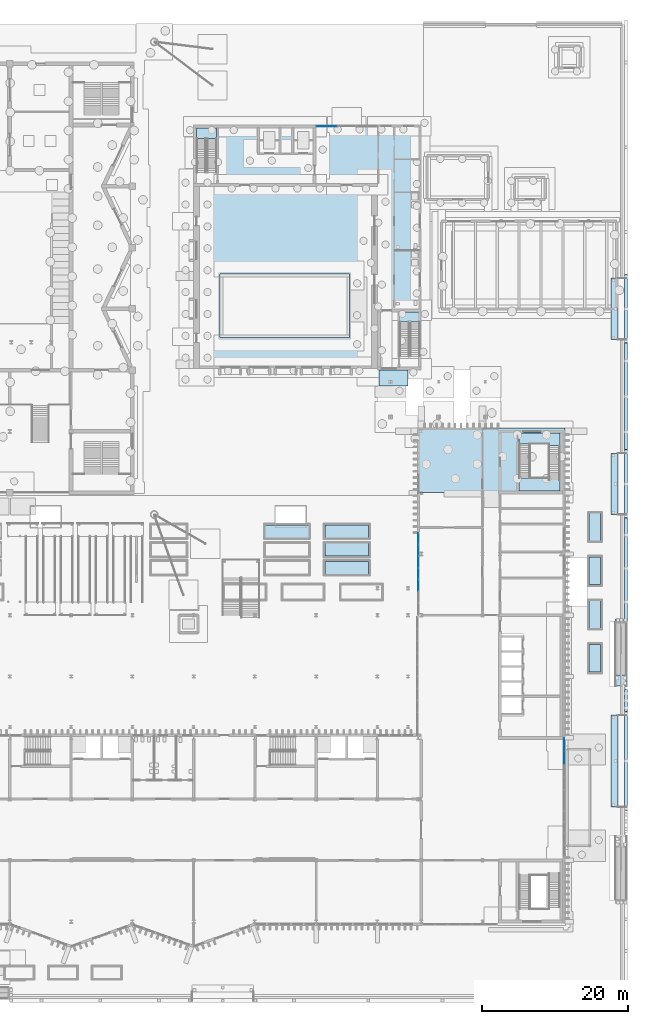
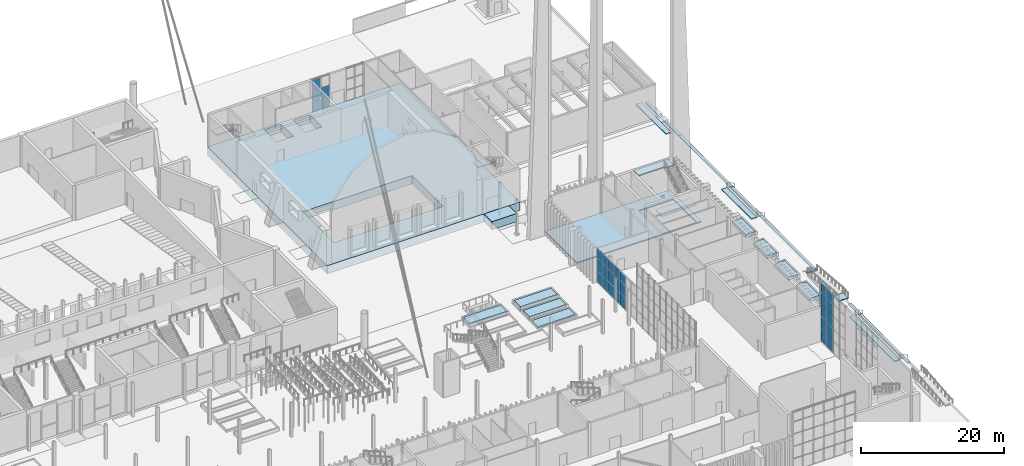
# One storey, part 51 of 108: 30 plates, 26 slabs, 7 elements without a shape of their own.
"""IFC4 building model written with IfcOpenShell, lengths in metres."""

import ifcopenshell
import ifcopenshell.guid

model = None  # the IFC model being written
_history = None  # IfcOwnerHistory: only IFC2X3 demands one
_inside = {}  # id of a spatial element -> (the spatial element, [elements in it])
_under = {}  # id of a project, library or spatial element -> (it, [spatial elements below it])
_declared = {}  # id of a project -> (the project, [libraries it declares])
_typed = {}  # id of a type object -> (the type object, [elements of that type])
_made_of = {}  # id of a material, layer set ... -> (it, [elements and type objects made of it])


def new_model(schema):
    """Start an empty IFC model of exactly this schema.

    Asked for "IFC4X3", IfcOpenShell would pick the latest addendum, in which some entities
    have other attributes; the version numbers below select the first issue.
    IFC2X3 requires an IfcOwnerHistory on every rooted entity: one is made here for all.
    """
    global model, _history
    if schema == "IFC4X3":
        model = ifcopenshell.file(schema_version=(4, 3, 0, 0))
    else:
        model = ifcopenshell.file(schema=schema)
    _inside.clear()
    _under.clear()
    _declared.clear()
    _typed.clear()
    _made_of.clear()
    _history = None
    if model.schema == "IFC2X3":
        org = make("IfcOrganization", Name="unknown")
        user = make(
            "IfcPersonAndOrganization",
            ThePerson=make("IfcPerson", FamilyName="unknown"),
            TheOrganization=org,
        )
        app = make(
            "IfcApplication",
            ApplicationDeveloper=org,
            Version="unknown",
            ApplicationFullName="unknown",
            ApplicationIdentifier="unknown",
        )
        _history = make(
            "IfcOwnerHistory",
            OwningUser=user,
            OwningApplication=app,
            ChangeAction="ADDED",
            CreationDate=0,
        )
    return model


def make(cls, **values):
    """One entity of the class cls with the attributes given. An attribute that is None is left unset."""
    return model.create_entity(
        cls, **{name: value for name, value in values.items() if value is not None}
    )


def rooted(cls, **values):
    """An entity with a GlobalId (a new one), such as an element, a storey or a relation."""
    return make(cls, GlobalId=ifcopenshell.guid.new(), OwnerHistory=_history, **values)


def si_unit(unit_type, name, prefix=None):
    """IfcSIUnit, for example si_unit("LENGTHUNIT", "METRE", prefix="MILLI")."""
    return make("IfcSIUnit", UnitType=unit_type, Prefix=prefix, Name=name)


def assignment(units):
    """IfcUnitAssignment: the units of a project."""
    return None if units is None else make("IfcUnitAssignment", Units=units)


def point(xyz):
    """IfcCartesianPoint."""
    return None if xyz is None else make("IfcCartesianPoint", Coordinates=xyz)


def direction(xyz):
    """IfcDirection."""
    return None if xyz is None else make("IfcDirection", DirectionRatios=xyz)


def frame(location, z_axis=None, x_axis=None):
    """IfcAxis2Placement3D, a coordinate frame: its origin and axes. An axis left out is left unset."""
    return make(
        "IfcAxis2Placement3D",
        Location=point(location),
        Axis=direction(z_axis),
        RefDirection=direction(x_axis),
    )


def frame_2d(location, x_axis=None):
    """IfcAxis2Placement2D, a coordinate frame in the plane: its origin and x axis."""
    return make(
        "IfcAxis2Placement2D", Location=point(location), RefDirection=direction(x_axis)
    )


def origin():
    """The frame at (0, 0, 0) with its axes left unset."""
    return frame((0.0, 0.0, 0.0))


def origin_2d():
    """The frame at (0, 0) in the plane with its x axis left unset."""
    return frame_2d((0.0, 0.0))


def place(relative_to, where):
    """IfcLocalPlacement: puts the frame where relative to a parent placement (None: the world)."""
    return make(
        "IfcLocalPlacement", PlacementRelTo=relative_to, RelativePlacement=where
    )


def context(
    kind, dimensions, precision=None, world=None, true_north=None, identifier=None
):
    """IfcGeometricRepresentationContext, for example the 3D "Model" context."""
    return make(
        "IfcGeometricRepresentationContext",
        ContextIdentifier=identifier,
        ContextType=kind,
        CoordinateSpaceDimension=dimensions,
        Precision=precision,
        WorldCoordinateSystem=world,
        TrueNorth=true_north,
    )


def subcontext(parent, identifier, kind, view, scale=None):
    """IfcGeometricRepresentationSubContext, for example "Body" below "Model"."""
    return make(
        "IfcGeometricRepresentationSubContext",
        ContextIdentifier=identifier,
        ContextType=kind,
        ParentContext=parent,
        TargetScale=scale,
        TargetView=view,
    )


def project(units=None, contexts=None):
    """IfcProject with its units and contexts."""
    return rooted(
        "IfcProject",
        Name="project",
        RepresentationContexts=contexts,
        UnitsInContext=assignment(units),
    )


def spatial(cls, under=None, at=None, **own):
    """A site, building, storey or space (cls), placed at a placement, below another one or the project."""
    s = rooted(cls, ObjectPlacement=at, **own)
    if under is not None:
        _under.setdefault(under.id(), (under, []))[1].append(s)
    return s


def polyline(points):
    """IfcPolyline through the points."""
    return make("IfcPolyline", Points=[point(p) for p in points])


def profile(cls, at=None, kind="AREA", **sizes):
    """A parametric profile (cls). Its sizes go by their IFC names, for example OverallWidth=200.0."""
    return make(cls, ProfileType=kind, Position=at, **sizes)


def rectangle(**sizes):
    """IfcRectangleProfileDef."""
    return profile("IfcRectangleProfileDef", **sizes)


def outline(outer, holes=None, kind="AREA"):
    """IfcArbitraryClosedProfileDef: a profile drawn as a closed curve; with holes, ...WithVoids."""
    if holes is None:
        return make("IfcArbitraryClosedProfileDef", ProfileType=kind, OuterCurve=outer)
    return make(
        "IfcArbitraryProfileDefWithVoids",
        ProfileType=kind,
        OuterCurve=outer,
        InnerCurves=holes,
    )


def extrude(swept, where, along, depth):
    """IfcExtrudedAreaSolid: the profile swept, set in the frame where, extruded along a direction by depth."""
    return make(
        "IfcExtrudedAreaSolid",
        SweptArea=swept,
        Position=where,
        ExtrudedDirection=direction(along),
        Depth=depth,
    )


def shape(context_of_items, identifier, shape_type, items):
    """IfcShapeRepresentation: the items that make up one representation, for example the "Body"."""
    return make(
        "IfcShapeRepresentation",
        ContextOfItems=context_of_items,
        RepresentationIdentifier=identifier,
        RepresentationType=shape_type,
        Items=items,
    )


def material(Name=None, Category=None):
    """IfcMaterial."""
    return make("IfcMaterial", Name=Name, Category=Category)


def layer(
    of_material, thickness, ventilated=None, Name=None, Category=None, Priority=None
):
    """IfcMaterialLayer: one layer of a wall or slab, of a material (None: an air gap)."""
    return make(
        "IfcMaterialLayer",
        Material=of_material,
        LayerThickness=thickness,
        IsVentilated=ventilated,
        Name=Name,
        Category=Category,
        Priority=Priority,
    )


def layer_set(layers, Name=None):
    """IfcMaterialLayerSet."""
    return make("IfcMaterialLayerSet", MaterialLayers=layers, LayerSetName=Name)


def made_of(thing, what):
    """Note that an element or type object is made of a material, layer set ...; save() writes the relation."""
    if what is not None:
        _made_of.setdefault(what.id(), (what, []))[1].append(thing)
    return thing


def type_object(cls, material=None, **own):
    """A type object (cls), such as IfcWallType, which elements share."""
    return made_of(rooted(cls, **own), material)


def element(
    cls,
    number,
    at=None,
    inside=None,
    cuts=None,
    type_object=None,
    material=None,
    context=None,
    identifier="Body",
    shape_type=None,
    held_by="IfcProductDefinitionShape",
    body=None,
    shapes=None,
    **own,
):
    """One element of the class cls, such as IfcWall. Its Tag is "e" and its number.

    at: its placement. inside: the storey or other place that contains it. cuts: it is an
    opening in that element (IfcRelVoidsElement). A single representation is given by context,
    identifier, shape_type and body (its items); several are given by shapes. held_by: the class
    of the entity that holds the representations. save() writes the other relations.
    """
    e = rooted(cls, Tag="e%d" % number, ObjectPlacement=at, **own)
    if body is not None:
        shapes = [shape(context, identifier, shape_type, body)]
    if shapes is not None:
        e.Representation = make(held_by, Representations=shapes)
    if inside is not None:
        _inside.setdefault(inside.id(), (inside, []))[1].append(e)
    if cuts is not None:
        rooted(
            "IfcRelVoidsElement", RelatingBuildingElement=cuts, RelatedOpeningElement=e
        )
    if type_object is not None:
        _typed.setdefault(type_object.id(), (type_object, []))[1].append(e)
    return made_of(e, material)


def aggregate(whole, parts):
    """IfcRelAggregates: a whole, such as a stair, and the parts it consists of."""
    return rooted("IfcRelAggregates", RelatingObject=whole, RelatedObjects=parts)


def save(model, path):
    """Write the relations noted so far, then the file.

    IfcRelAggregates (storeys below a building ...), IfcRelContainedInSpatialStructure (elements
    in a storey), IfcRelDefinesByType, IfcRelAssociatesMaterial and IfcRelDeclares: one each for
    every whole, place, type object, material and project.
    """
    for whole, parts in _under.values():
        aggregate(whole, parts)
    for where, things in _inside.values():
        rooted(
            "IfcRelContainedInSpatialStructure",
            RelatedElements=things,
            RelatingStructure=where,
        )
    for kind, things in _typed.values():
        rooted("IfcRelDefinesByType", RelatedObjects=things, RelatingType=kind)
    for what, things in _made_of.values():
        rooted("IfcRelAssociatesMaterial", RelatedObjects=things, RelatingMaterial=what)
    for by, libraries in _declared.values():
        rooted("IfcRelDeclares", RelatingContext=by, RelatedDefinitions=libraries)
    model.write(path)


model = new_model("IFC4")

# Units and contexts
model_context = context("Model", 3, precision=1e-05, world=origin(), true_north=direction((0.0, 1.0)))
body_context = subcontext(model_context, "Body", "Model", "MODEL_VIEW")
ifc_project = project(units=[si_unit("LENGTHUNIT", "METRE"), si_unit("AREAUNIT", "SQUARE_METRE"), si_unit("VOLUMEUNIT", "CUBIC_METRE"), si_unit("PLANEANGLEUNIT", "RADIAN"), si_unit("MASSUNIT", "GRAM", prefix="KILO")], contexts=[model_context])

# Site, building, storey
site_placement = place(None, origin())
site = spatial("IfcSite", under=ifc_project, at=site_placement, CompositionType="ELEMENT")
building_placement = place(site_placement, origin())
building = spatial("IfcBuilding", under=site, at=building_placement, Name="Cresset Court Congress Hotel", CompositionType="ELEMENT")
storey_placement = place(building_placement, origin())
storey = spatial("IfcBuildingStorey", under=building, at=storey_placement, Name="L00", CompositionType="ELEMENT", Elevation=0.0)

# Curtain wall, plates
ifc_material_1 = material(Name="Aluminium and glass", Category="aluminium")
curtain_wall_type_1 = type_object("IfcCurtainWallType", Name="Curtain wall 1680 module", PredefinedType="NOTDEFINED", material=ifc_material_1)
curtain_wall_1_placement = place(storey_placement, origin())
curtain_wall_1 = element("IfcCurtainWall", 1, at=curtain_wall_1_placement, inside=storey, type_object=curtain_wall_type_1, Name="Entrance glazing north", PredefinedType="NOTDEFINED")
ifc_material_2 = material(Name="Laminated glass", Category="glass")
ifc_layer_1 = layer(ifc_material_2, 0.028076171875)
ifc_layer_set_1 = layer_set([ifc_layer_1], Name="Curtain wall glass panel 28")
plate_type_1 = type_object("IfcPlateType", Name="Curtain wall glass panel 28", PredefinedType="CURTAIN_PANEL", material=ifc_layer_set_1)
plate_1_placement = place(storey_placement, frame((176.800048828125, 22.5, 0.06005859375), z_axis=(0.0, 0.0, 1.0), x_axis=(0.0, 1.0, 0.0)))
plate_1 = element("IfcPlate", 2, at=plate_1_placement, type_object=plate_type_1, Name="A-X1 panel 3.1", PredefinedType="CURTAIN_PANEL", context=body_context, shape_type="SweptSolid", body=[
    extrude(rectangle(XDim=1.739990234375, YDim=0.028076171875, at=origin_2d()), origin(), (0.0, 0.0, 1.0), 2.010009765625),
])
plate_2_placement = place(storey_placement, frame((176.800048828125, 22.5, 2.1298828125), z_axis=(0.0, 0.0, 1.0), x_axis=(0.0, 1.0, 0.0)))
plate_2 = element("IfcPlate", 3, at=plate_2_placement, type_object=plate_type_1, Name="A-X1 panel 3.2", PredefinedType="CURTAIN_PANEL", context=body_context, shape_type="SweptSolid", body=[
    extrude(rectangle(XDim=1.739990234375, YDim=0.028076171875, at=origin_2d()), origin(), (0.0, 0.0, 1.0), 2.0400390625),
])
plate_3_placement = place(storey_placement, frame((176.800048828125, 22.5, 4.22998046875), z_axis=(0.0, 0.0, 1.0), x_axis=(0.0, 1.0, 0.0)))
plate_3 = element("IfcPlate", 4, at=plate_3_placement, type_object=plate_type_1, Name="A-X1 panel 3.3", PredefinedType="CURTAIN_PANEL", context=body_context, shape_type="SweptSolid", body=[
    extrude(rectangle(XDim=1.739990234375, YDim=0.028076171875, at=origin_2d()), origin(), (0.0, 0.0, 1.0), 2.0400390625),
])
plate_4_placement = place(storey_placement, frame((176.800048828125, 22.5, 6.330078125), z_axis=(0.0, 0.0, 1.0), x_axis=(0.0, 1.0, 0.0)))
plate_4 = element("IfcPlate", 5, at=plate_4_placement, type_object=plate_type_1, Name="A-X1 panel 3.4", PredefinedType="CURTAIN_PANEL", context=body_context, shape_type="SweptSolid", body=[
    extrude(rectangle(XDim=1.739990234375, YDim=0.028076171875, at=origin_2d()), origin(), (0.0, 0.0, 1.0), 2.0400390625),
])
plate_5_placement = place(storey_placement, frame((176.800048828125, 22.5, 8.429931640625), z_axis=(0.0, 0.0, 1.0), x_axis=(0.0, 1.0, 0.0)))
plate_5 = element("IfcPlate", 6, at=plate_5_placement, type_object=plate_type_1, Name="A-X1 panel 3.5", PredefinedType="CURTAIN_PANEL", context=body_context, shape_type="SweptSolid", body=[
    extrude(rectangle(XDim=1.739990234375, YDim=0.028076171875, at=origin_2d()), origin(), (0.0, 0.0, 1.0), 1.56005859375),
])
plate_6_placement = place(storey_placement, frame((176.800048828125, 24.284912109375, 0.06005859375), z_axis=(0.0, 0.0, 1.0), x_axis=(0.0, 1.0, 0.0)))
plate_6 = element("IfcPlate", 7, at=plate_6_placement, type_object=plate_type_1, Name="A-X1 panel 4.1", PredefinedType="CURTAIN_PANEL", context=body_context, shape_type="SweptSolid", body=[
    extrude(rectangle(XDim=1.7099609375, YDim=0.028076171875, at=origin_2d()), origin(), (0.0, 0.0, 1.0), 2.010009765625),
])
plate_7_placement = place(storey_placement, frame((176.800048828125, 24.284912109375, 2.1298828125), z_axis=(0.0, 0.0, 1.0), x_axis=(0.0, 1.0, 0.0)))
plate_7 = element("IfcPlate", 8, at=plate_7_placement, type_object=plate_type_1, Name="A-X1 panel 4.2", PredefinedType="CURTAIN_PANEL", context=body_context, shape_type="SweptSolid", body=[
    extrude(rectangle(XDim=1.7099609375, YDim=0.028076171875, at=origin_2d()), origin(), (0.0, 0.0, 1.0), 2.0400390625),
])
plate_8_placement = place(storey_placement, frame((176.800048828125, 24.284912109375, 4.22998046875), z_axis=(0.0, 0.0, 1.0), x_axis=(0.0, 1.0, 0.0)))
plate_8 = element("IfcPlate", 9, at=plate_8_placement, type_object=plate_type_1, Name="A-X1 panel 4.3", PredefinedType="CURTAIN_PANEL", context=body_context, shape_type="SweptSolid", body=[
    extrude(rectangle(XDim=1.7099609375, YDim=0.028076171875, at=origin_2d()), origin(), (0.0, 0.0, 1.0), 2.0400390625),
])
plate_9_placement = place(storey_placement, frame((176.800048828125, 24.284912109375, 6.330078125), z_axis=(0.0, 0.0, 1.0), x_axis=(0.0, 1.0, 0.0)))
plate_9 = element("IfcPlate", 10, at=plate_9_placement, type_object=plate_type_1, Name="A-X1 panel 4.4", PredefinedType="CURTAIN_PANEL", context=body_context, shape_type="SweptSolid", body=[
    extrude(rectangle(XDim=1.7099609375, YDim=0.028076171875, at=origin_2d()), origin(), (0.0, 0.0, 1.0), 2.0400390625),
])
plate_10_placement = place(storey_placement, frame((176.800048828125, 24.284912109375, 8.429931640625), z_axis=(0.0, 0.0, 1.0), x_axis=(0.0, 1.0, 0.0)))
plate_10 = element("IfcPlate", 11, at=plate_10_placement, type_object=plate_type_1, Name="A-X1 panel 4.5", PredefinedType="CURTAIN_PANEL", context=body_context, shape_type="SweptSolid", body=[
    extrude(rectangle(XDim=1.7099609375, YDim=0.028076171875, at=origin_2d()), origin(), (0.0, 0.0, 1.0), 1.56005859375),
])
aggregate(curtain_wall_1, [plate_1, plate_2, plate_3, plate_4, plate_5, plate_6, plate_7, plate_8, plate_9, plate_10])

ifc_material_3 = material(Name="Aluminium frame with insulated glass", Category="aluminium")
curtain_wall_type_2 = type_object("IfcCurtainWallType", Name="Curtain wall module 1600", PredefinedType="NOTDEFINED", material=ifc_material_3)
curtain_wall_2_placement = place(storey_placement, origin())
curtain_wall_2 = element("IfcCurtainWall", 12, at=curtain_wall_2_placement, inside=storey, type_object=curtain_wall_type_2, Name="Curtain wall N1", PredefinedType="NOTDEFINED")
plate_11_placement = place(storey_placement, frame((143.5400390625, 109.050048828125, 0.1201171875), z_axis=(0.0, 0.0, 1.0), x_axis=(1.0, 0.0, 0.0)))
plate_11 = element("IfcPlate", 13, at=plate_11_placement, type_object=plate_type_1, Name="D-X3 panel 1.1", PredefinedType="CURTAIN_PANEL", context=body_context, shape_type="SweptSolid", body=[
    extrude(rectangle(XDim=1.360107421875, YDim=0.028076171875, at=origin_2d()), origin(), (0.0, 0.0, 1.0), 1.764892578125),
])
plate_12_placement = place(storey_placement, frame((143.5400390625, 109.050048828125, 2.0048828125), z_axis=(0.0, 0.0, 1.0), x_axis=(1.0, 0.0, 0.0)))
plate_12 = element("IfcPlate", 14, at=plate_12_placement, type_object=plate_type_1, Name="D-X3 panel 1.2", PredefinedType="CURTAIN_PANEL", context=body_context, shape_type="SweptSolid", body=[
    extrude(rectangle(XDim=1.360107421875, YDim=0.028076171875, at=origin_2d()), origin(), (0.0, 0.0, 1.0), 1.76708984375),
])
plate_13_placement = place(storey_placement, frame((143.5400390625, 109.050048828125, 3.89208984375), z_axis=(0.0, 0.0, 1.0), x_axis=(1.0, 0.0, 0.0)))
plate_13 = element("IfcPlate", 15, at=plate_13_placement, type_object=plate_type_1, Name="D-X3 panel 1.3", PredefinedType="CURTAIN_PANEL", context=body_context, shape_type="SweptSolid", body=[
    extrude(rectangle(XDim=1.360107421875, YDim=0.028076171875, at=origin_2d()), origin(), (0.0, 0.0, 1.0), 1.7080078125),
])
plate_14_placement = place(storey_placement, frame((144.9599609375, 109.050048828125, 0.1201171875), z_axis=(0.0, 0.0, 1.0), x_axis=(1.0, 0.0, 0.0)))
plate_14 = element("IfcPlate", 16, at=plate_14_placement, type_object=plate_type_1, Name="D-X3 panel 2.1", PredefinedType="CURTAIN_PANEL", context=body_context, shape_type="SweptSolid", body=[
    extrude(rectangle(XDim=1.360107421875, YDim=0.028076171875, at=origin_2d()), origin(), (0.0, 0.0, 1.0), 1.764892578125),
])
plate_15_placement = place(storey_placement, frame((144.9599609375, 109.050048828125, 2.0048828125), z_axis=(0.0, 0.0, 1.0), x_axis=(1.0, 0.0, 0.0)))
plate_15 = element("IfcPlate", 17, at=plate_15_placement, type_object=plate_type_1, Name="D-X3 panel 2.2", PredefinedType="CURTAIN_PANEL", context=body_context, shape_type="SweptSolid", body=[
    extrude(rectangle(XDim=1.360107421875, YDim=0.028076171875, at=origin_2d()), origin(), (0.0, 0.0, 1.0), 1.76708984375),
])
aggregate(curtain_wall_2, [plate_11, plate_12, plate_13, plate_14, plate_15])

curtain_wall_3_placement = place(storey_placement, origin())
curtain_wall_3 = element("IfcCurtainWall", 18, at=curtain_wall_3_placement, inside=storey, type_object=curtain_wall_type_1, Name="Garden restaurant glazing west", PredefinedType="NOTDEFINED")
ifc_material_4 = material(Name="Laminated glass", Category="glass")
ifc_layer_2 = layer(ifc_material_4, 0.0439453125)
ifc_layer_set_2 = layer_set([ifc_layer_2], Name="Curtain wall laminated glass panel 44")
plate_type_2 = type_object("IfcPlateType", Name="Curtain wall laminated glass panel 44", PredefinedType="CURTAIN_PANEL", material=ifc_layer_set_2)
plate_16_placement = place(storey_placement, frame((156.800048828125, 46.10009765625, 0.06005859375), z_axis=(0.0, 0.0, 1.0), x_axis=(0.0, 1.0, 0.0)))
plate_16 = element("IfcPlate", 19, at=plate_16_placement, type_object=plate_type_2, Name="A-X1 panel 3.1", PredefinedType="CURTAIN_PANEL", context=body_context, shape_type="SweptSolid", body=[
    extrude(rectangle(XDim=1.5400390625, YDim=0.028076171875, at=origin_2d()), origin(), (0.0, 0.0, 1.0), 2.010009765625),
])
plate_17_placement = place(storey_placement, frame((156.800048828125, 46.10009765625, 2.1298828125), z_axis=(0.0, 0.0, 1.0), x_axis=(0.0, 1.0, 0.0)))
plate_17 = element("IfcPlate", 20, at=plate_17_placement, type_object=plate_type_2, Name="A-X1 panel 3.2", PredefinedType="CURTAIN_PANEL", context=body_context, shape_type="SweptSolid", body=[
    extrude(rectangle(XDim=1.5400390625, YDim=0.028076171875, at=origin_2d()), origin(), (0.0, 0.0, 1.0), 2.0400390625),
])
plate_18_placement = place(storey_placement, frame((156.800048828125, 46.10009765625, 4.22998046875), z_axis=(0.0, 0.0, 1.0), x_axis=(0.0, 1.0, 0.0)))
plate_18 = element("IfcPlate", 21, at=plate_18_placement, type_object=plate_type_2, Name="A-X1 panel 3.3", PredefinedType="CURTAIN_PANEL", context=body_context, shape_type="SweptSolid", body=[
    extrude(rectangle(XDim=1.5400390625, YDim=0.028076171875, at=origin_2d()), origin(), (0.0, 0.0, 1.0), 1.56005859375),
])
plate_19_placement = place(storey_placement, frame((156.800048828125, 47.699951171875, 0.06005859375), z_axis=(0.0, 0.0, 1.0), x_axis=(0.0, 1.0, 0.0)))
plate_19 = element("IfcPlate", 22, at=plate_19_placement, type_object=plate_type_2, Name="A-X1 panel 4.1", PredefinedType="CURTAIN_PANEL", context=body_context, shape_type="SweptSolid", body=[
    extrude(rectangle(XDim=1.5400390625, YDim=0.028076171875, at=origin_2d()), origin(), (0.0, 0.0, 1.0), 2.010009765625),
])
plate_20_placement = place(storey_placement, frame((156.800048828125, 47.699951171875, 2.1298828125), z_axis=(0.0, 0.0, 1.0), x_axis=(0.0, 1.0, 0.0)))
plate_20 = element("IfcPlate", 23, at=plate_20_placement, type_object=plate_type_2, Name="A-X1 panel 4.2", PredefinedType="CURTAIN_PANEL", context=body_context, shape_type="SweptSolid", body=[
    extrude(rectangle(XDim=1.5400390625, YDim=0.028076171875, at=origin_2d()), origin(), (0.0, 0.0, 1.0), 2.0400390625),
])
plate_21_placement = place(storey_placement, frame((156.800048828125, 47.699951171875, 4.22998046875), z_axis=(0.0, 0.0, 1.0), x_axis=(0.0, 1.0, 0.0)))
plate_21 = element("IfcPlate", 24, at=plate_21_placement, type_object=plate_type_2, Name="A-X1 panel 4.3", PredefinedType="CURTAIN_PANEL", context=body_context, shape_type="SweptSolid", body=[
    extrude(rectangle(XDim=1.5400390625, YDim=0.028076171875, at=origin_2d()), origin(), (0.0, 0.0, 1.0), 1.56005859375),
])
plate_22_placement = place(storey_placement, frame((156.800048828125, 49.300048828125, 0.06005859375), z_axis=(0.0, 0.0, 1.0), x_axis=(0.0, 1.0, 0.0)))
plate_22 = element("IfcPlate", 25, at=plate_22_placement, type_object=plate_type_2, Name="A-X1 panel 5.1", PredefinedType="CURTAIN_PANEL", context=body_context, shape_type="SweptSolid", body=[
    extrude(rectangle(XDim=1.5400390625, YDim=0.028076171875, at=origin_2d()), origin(), (0.0, 0.0, 1.0), 2.010009765625),
])
plate_23_placement = place(storey_placement, frame((156.800048828125, 49.300048828125, 2.1298828125), z_axis=(0.0, 0.0, 1.0), x_axis=(0.0, 1.0, 0.0)))
plate_23 = element("IfcPlate", 26, at=plate_23_placement, type_object=plate_type_2, Name="A-X1 panel 5.2", PredefinedType="CURTAIN_PANEL", context=body_context, shape_type="SweptSolid", body=[
    extrude(rectangle(XDim=1.5400390625, YDim=0.028076171875, at=origin_2d()), origin(), (0.0, 0.0, 1.0), 2.0400390625),
])
plate_24_placement = place(storey_placement, frame((156.800048828125, 49.300048828125, 4.22998046875), z_axis=(0.0, 0.0, 1.0), x_axis=(0.0, 1.0, 0.0)))
plate_24 = element("IfcPlate", 27, at=plate_24_placement, type_object=plate_type_2, Name="A-X1 panel 5.3", PredefinedType="CURTAIN_PANEL", context=body_context, shape_type="SweptSolid", body=[
    extrude(rectangle(XDim=1.5400390625, YDim=0.028076171875, at=origin_2d()), origin(), (0.0, 0.0, 1.0), 1.56005859375),
])
plate_25_placement = place(storey_placement, frame((156.800048828125, 50.89990234375, 0.06005859375), z_axis=(0.0, 0.0, 1.0), x_axis=(0.0, 1.0, 0.0)))
plate_25 = element("IfcPlate", 28, at=plate_25_placement, type_object=plate_type_2, Name="A-X1 panel 6.1", PredefinedType="CURTAIN_PANEL", context=body_context, shape_type="SweptSolid", body=[
    extrude(rectangle(XDim=1.5400390625, YDim=0.028076171875, at=origin_2d()), origin(), (0.0, 0.0, 1.0), 2.010009765625),
])
plate_26_placement = place(storey_placement, frame((156.800048828125, 50.89990234375, 2.1298828125), z_axis=(0.0, 0.0, 1.0), x_axis=(0.0, 1.0, 0.0)))
plate_26 = element("IfcPlate", 29, at=plate_26_placement, type_object=plate_type_2, Name="A-X1 panel 6.2", PredefinedType="CURTAIN_PANEL", context=body_context, shape_type="SweptSolid", body=[
    extrude(rectangle(XDim=1.5400390625, YDim=0.028076171875, at=origin_2d()), origin(), (0.0, 0.0, 1.0), 2.0400390625),
])
plate_27_placement = place(storey_placement, frame((156.800048828125, 50.89990234375, 4.22998046875), z_axis=(0.0, 0.0, 1.0), x_axis=(0.0, 1.0, 0.0)))
plate_27 = element("IfcPlate", 30, at=plate_27_placement, type_object=plate_type_2, Name="A-X1 panel 6.3", PredefinedType="CURTAIN_PANEL", context=body_context, shape_type="SweptSolid", body=[
    extrude(rectangle(XDim=1.5400390625, YDim=0.028076171875, at=origin_2d()), origin(), (0.0, 0.0, 1.0), 1.56005859375),
])
plate_28_placement = place(storey_placement, frame((156.800048828125, 52.485107421875, 0.06005859375), z_axis=(0.0, 0.0, 1.0), x_axis=(0.0, 1.0, 0.0)))
plate_28 = element("IfcPlate", 31, at=plate_28_placement, type_object=plate_type_2, Name="A-X1 panel 7.1", PredefinedType="CURTAIN_PANEL", context=body_context, shape_type="SweptSolid", body=[
    extrude(rectangle(XDim=1.510009765625, YDim=0.028076171875, at=origin_2d()), origin(), (0.0, 0.0, 1.0), 2.010009765625),
])
plate_29_placement = place(storey_placement, frame((156.800048828125, 52.485107421875, 2.1298828125), z_axis=(0.0, 0.0, 1.0), x_axis=(0.0, 1.0, 0.0)))
plate_29 = element("IfcPlate", 32, at=plate_29_placement, type_object=plate_type_2, Name="A-X1 panel 7.2", PredefinedType="CURTAIN_PANEL", context=body_context, shape_type="SweptSolid", body=[
    extrude(rectangle(XDim=1.510009765625, YDim=0.028076171875, at=origin_2d()), origin(), (0.0, 0.0, 1.0), 2.0400390625),
])
plate_30_placement = place(storey_placement, frame((156.800048828125, 52.485107421875, 4.22998046875), z_axis=(0.0, 0.0, 1.0), x_axis=(0.0, 1.0, 0.0)))
plate_30 = element("IfcPlate", 33, at=plate_30_placement, type_object=plate_type_2, Name="A-X1 panel 7.3", PredefinedType="CURTAIN_PANEL", context=body_context, shape_type="SweptSolid", body=[
    extrude(rectangle(XDim=1.510009765625, YDim=0.028076171875, at=origin_2d()), origin(), (0.0, 0.0, 1.0), 1.56005859375),
])
aggregate(curtain_wall_3, [plate_16, plate_17, plate_18, plate_19, plate_20, plate_21, plate_22, plate_23, plate_24, plate_25, plate_26, plate_27, plate_28, plate_29, plate_30])

# Slabs
ifc_material_5 = material(Name="Concrete C35", Category="concrete")
ifc_layer_3 = layer(ifc_material_5, 0.199951171875)
ifc_layer_set_3 = layer_set([ifc_layer_3], Name="Ground slab 200")
slab_type_1 = type_object("IfcSlabType", Name="Ground slab 200", PredefinedType="BASESLAB", material=ifc_layer_set_3)
slab_1_placement = place(storey_placement, frame((0.0, 0.0, -0.199951171875)))
element("IfcSlab", 34, at=slab_1_placement, inside=storey, type_object=slab_type_1, Name="A.slab.L00.north", PredefinedType="BASESLAB", context=body_context, shape_type="SweptSolid", body=[
    extrude(outline(polyline([(156.699951171875, 58.800048828125), (176.89990234375, 58.800048828125), (176.89990234375, 67.699951171875), (156.699951171875, 67.699951171875), (156.699951171875, 58.800048828125)]), holes=[polyline([(170.60009765625, 59.0), (176.199951171875, 59.0), (176.199951171875, 65.499267578125), (170.60009765625, 65.499267578125), (170.60009765625, 59.0)])]), origin(), (0.0, 0.0, 1.0), 0.199951171875),
])
ifc_material_6 = material(Name="Concrete C35", Category="concrete")
ifc_layer_4 = layer(ifc_material_6, 0.199951171875)
ifc_layer_set_4 = layer_set([ifc_layer_4], Name="Landing slab 200")
slab_type_2 = type_object("IfcSlabType", Name="Landing slab 200", PredefinedType="LANDING", material=ifc_layer_set_4)
slab_2_placement = place(storey_placement, frame((0.0, 0.0, -0.800048828125)))
element("IfcSlab", 35, at=slab_2_placement, inside=storey, type_object=slab_type_2, Name="Step foot landing E1", PredefinedType="LANDING", context=body_context, shape_type="SweptSolid", body=[
    extrude(outline(polyline([(185.050048828125, 15.199951171875), (185.498046875, 15.199951171875), (185.498046875, 28.800048828125), (185.050048828125, 28.800048828125), (185.050048828125, 15.199951171875)])), origin(), (0.0, 0.0, 1.0), 0.199951171875),
])
slab_3_placement = place(storey_placement, frame((0.0, 0.0, -0.800048828125)))
element("IfcSlab", 36, at=slab_3_placement, inside=storey, type_object=slab_type_2, Name="Step foot landing E2", PredefinedType="LANDING", context=body_context, shape_type="SweptSolid", body=[
    extrude(outline(polyline([(185.050048828125, 55.300048828125), (185.498046875, 55.300048828125), (185.498046875, 64.699951171875), (185.050048828125, 64.699951171875), (185.050048828125, 55.300048828125)])), origin(), (0.0, 0.0, 1.0), 0.199951171875),
])
slab_4_placement = place(storey_placement, frame((0.0, 0.0, -0.800048828125)))
element("IfcSlab", 37, at=slab_4_placement, inside=storey, type_object=slab_type_2, Name="Step foot landing E3", PredefinedType="LANDING", context=body_context, shape_type="SweptSolid", body=[
    extrude(outline(polyline([(185.050048828125, 79.300048828125), (185.498046875, 79.300048828125), (185.498046875, 88.699951171875), (185.050048828125, 88.699951171875), (185.050048828125, 79.300048828125)])), origin(), (0.0, 0.0, 1.0), 0.199951171875),
])
slab_5_placement = place(storey_placement, frame((0.0, 0.0, -0.199951171875)))
element("IfcSlab", 38, at=slab_5_placement, inside=storey, type_object=slab_type_2, Name="Step landing T", PredefinedType="LANDING", context=body_context, shape_type="SweptSolid", body=[
    extrude(outline(polyline([(183.25, 15.699951171875), (184.14990234375, 15.699951171875), (184.14990234375, 28.300048828125), (183.25, 28.300048828125), (183.25, 15.699951171875)])), origin(), (0.0, 0.0, 1.0), 0.199951171875),
])
slab_6_placement = place(storey_placement, frame((0.0, 0.0, -0.199951171875)))
element("IfcSlab", 39, at=slab_6_placement, inside=storey, type_object=slab_type_2, Name="Step landing T", PredefinedType="LANDING", context=body_context, shape_type="SweptSolid", body=[
    extrude(outline(polyline([(183.25, 55.800048828125), (184.14990234375, 55.800048828125), (184.14990234375, 64.199951171875), (183.25, 64.199951171875), (183.25, 55.800048828125)])), origin(), (0.0, 0.0, 1.0), 0.199951171875),
])
slab_7_placement = place(storey_placement, frame((0.0, 0.0, -0.199951171875)))
element("IfcSlab", 40, at=slab_7_placement, inside=storey, type_object=slab_type_2, Name="Step landing T", PredefinedType="LANDING", context=body_context, shape_type="SweptSolid", body=[
    extrude(outline(polyline([(183.25, 79.800048828125), (184.14990234375, 79.800048828125), (184.14990234375, 88.199951171875), (183.25, 88.199951171875), (183.25, 79.800048828125)])), origin(), (0.0, 0.0, 1.0), 0.199951171875),
])
slab_8_placement = place(storey_placement, frame((0.0, 0.0, -0.800048828125)))
element("IfcSlab", 41, at=slab_8_placement, inside=storey, type_object=slab_type_2, Name="Ramp foot landing E02", PredefinedType="LANDING", context=body_context, shape_type="SweptSolid", body=[
    extrude(outline(polyline([(183.85009765625, 41.199951171875), (185.498046875, 41.199951171875), (185.498046875, 41.5), (183.85009765625, 41.5), (183.85009765625, 41.199951171875)])), origin(), (0.0, 0.0, 1.0), 0.199951171875),
])

# Ramp, slab
ifc_material_7 = material(Name="Concrete C35", Category="concrete")
ramp_type = type_object("IfcRampType", Name="Ramp 1:12", PredefinedType="STRAIGHT_RUN_RAMP", material=ifc_material_7)
ramp_placement = place(storey_placement, origin())
ramp = element("IfcRamp", 42, at=ramp_placement, inside=storey, type_object=ramp_type, Name="Entrance ramp E02", PredefinedType="STRAIGHT_RUN_RAMP")
ifc_material_8 = material(Name="Concrete C35", Category="concrete")
ifc_layer_5 = layer(ifc_material_8, 0.20068359375)
ifc_layer_set_5 = layer_set([ifc_layer_5], Name="Landing slab 201")
slab_type_3 = type_object("IfcSlabType", Name="Landing slab 201", PredefinedType="LANDING", material=ifc_layer_set_5)
slab_9_placement = place(storey_placement, frame((0.0, 0.0, -0.20068359375)))
slab_9 = element("IfcSlab", 43, at=slab_9_placement, type_object=slab_type_3, Name="S.ramp.L00.E02.L1", PredefinedType="LANDING", context=body_context, shape_type="SweptSolid", body=[
    extrude(outline(polyline([(185.35009765625, 33.800048828125), (183.85009765625, 33.800048828125), (183.85009765625, 32.300048828125), (185.35009765625, 32.300048828125), (185.35009765625, 33.800048828125)])), origin(), (0.0, 0.0, 1.0), 0.20068359375),
])
aggregate(ramp, [slab_9])

# Slabs
ifc_material_9 = material(Name="Planting soil")
ifc_layer_6 = layer(ifc_material_9, 0.25)
ifc_layer_set_6 = layer_set([ifc_layer_6], Name="Planter soil 250")
slab_type_4 = type_object("IfcSlabType", Name="Planter soil 250", PredefinedType="FLOOR", material=ifc_layer_set_6)
slab_10_placement = place(storey_placement, origin())
element("IfcSlab", 44, at=slab_10_placement, inside=storey, type_object=slab_type_4, Name="Terrace planting bed 16", PredefinedType="FLOOR", context=body_context, shape_type="SweptSolid", body=[
    extrude(outline(polyline([(144.0, 47.60009765625), (150.0, 47.60009765625), (150.0, 49.39990234375), (144.0, 49.39990234375), (144.0, 47.60009765625)])), origin(), (0.0, 0.0, 1.0), 0.25),
])
ifc_material_10 = material(Name="Planting soil")
ifc_layer_7 = layer(ifc_material_10, 0.449951171875)
ifc_layer_set_7 = layer_set([ifc_layer_7], Name="Planter soil 450")
slab_type_5 = type_object("IfcSlabType", Name="Planter soil 450", PredefinedType="FLOOR", material=ifc_layer_set_7)
slab_11_placement = place(storey_placement, origin())
element("IfcSlab", 45, at=slab_11_placement, inside=storey, type_object=slab_type_5, Name="Terrace planting bed 17", PredefinedType="FLOOR", context=body_context, shape_type="SweptSolid", body=[
    extrude(outline(polyline([(144.0, 50.10009765625), (150.0, 50.10009765625), (150.0, 51.89990234375), (144.0, 51.89990234375), (144.0, 50.10009765625)])), origin(), (0.0, 0.0, 1.0), 0.449951171875),
])
ifc_material_11 = material(Name="Planting soil")
ifc_layer_8 = layer(ifc_material_11, 0.550048828125)
ifc_layer_set_8 = layer_set([ifc_layer_8], Name="Planter soil 550")
slab_type_6 = type_object("IfcSlabType", Name="Planter soil 550", PredefinedType="FLOOR", material=ifc_layer_set_8)
slab_12_placement = place(storey_placement, origin())
element("IfcSlab", 46, at=slab_12_placement, inside=storey, type_object=slab_type_6, Name="Planting bed 09", PredefinedType="FLOOR", context=body_context, shape_type="SweptSolid", body=[
    extrude(outline(polyline([(180.199951171875, 34.199951171875), (181.800048828125, 34.199951171875), (181.800048828125, 38.0), (180.199951171875, 38.0), (180.199951171875, 34.199951171875)])), origin(), (0.0, 0.0, 1.0), 0.550048828125),
])
slab_13_placement = place(storey_placement, origin())
element("IfcSlab", 47, at=slab_13_placement, inside=storey, type_object=slab_type_6, Name="Planting bed 10", PredefinedType="FLOOR", context=body_context, shape_type="SweptSolid", body=[
    extrude(outline(polyline([(180.199951171875, 40.199951171875), (181.800048828125, 40.199951171875), (181.800048828125, 44.0), (180.199951171875, 44.0), (180.199951171875, 40.199951171875)])), origin(), (0.0, 0.0, 1.0), 0.550048828125),
])
slab_14_placement = place(storey_placement, origin())
element("IfcSlab", 48, at=slab_14_placement, inside=storey, type_object=slab_type_6, Name="Planting bed 11", PredefinedType="FLOOR", context=body_context, shape_type="SweptSolid", body=[
    extrude(outline(polyline([(180.199951171875, 46.199951171875), (181.800048828125, 46.199951171875), (181.800048828125, 50.0), (180.199951171875, 50.0), (180.199951171875, 46.199951171875)])), origin(), (0.0, 0.0, 1.0), 0.550048828125),
])
slab_15_placement = place(storey_placement, origin())
element("IfcSlab", 49, at=slab_15_placement, inside=storey, type_object=slab_type_6, Name="Planting bed 12", PredefinedType="FLOOR", context=body_context, shape_type="SweptSolid", body=[
    extrude(outline(polyline([(180.199951171875, 52.199951171875), (181.800048828125, 52.199951171875), (181.800048828125, 56.0), (180.199951171875, 56.0), (180.199951171875, 52.199951171875)])), origin(), (0.0, 0.0, 1.0), 0.550048828125),
])
ifc_material_12 = material(Name="Planting soil")
ifc_layer_9 = layer(ifc_material_12, 0.64990234375)
ifc_layer_set_9 = layer_set([ifc_layer_9], Name="Planter soil 650")
slab_type_7 = type_object("IfcSlabType", Name="Planter soil 650", PredefinedType="FLOOR", material=ifc_layer_set_9)
slab_16_placement = place(storey_placement, origin())
element("IfcSlab", 50, at=slab_16_placement, inside=storey, type_object=slab_type_7, Name="Terrace planting bed 15", PredefinedType="FLOOR", context=body_context, shape_type="SweptSolid", body=[
    extrude(outline(polyline([(135.800048828125, 52.60009765625), (141.800048828125, 52.60009765625), (141.800048828125, 54.39990234375), (135.800048828125, 54.39990234375), (135.800048828125, 52.60009765625)])), origin(), (0.0, 0.0, 1.0), 0.64990234375),
])
slab_17_placement = place(storey_placement, origin())
element("IfcSlab", 51, at=slab_17_placement, inside=storey, type_object=slab_type_7, Name="Terrace planting bed 18", PredefinedType="FLOOR", context=body_context, shape_type="SweptSolid", body=[
    extrude(outline(polyline([(144.0, 52.60009765625), (150.0, 52.60009765625), (150.0, 54.39990234375), (144.0, 54.39990234375), (144.0, 52.60009765625)])), origin(), (0.0, 0.0, 1.0), 0.64990234375),
])
ifc_material_13 = material(Name="Concrete C35", Category="concrete")
ifc_layer_10 = layer(ifc_material_13, 1.39990234375)
ifc_layer_set_10 = layer_set([ifc_layer_10], Name="RC spa raft 1400 C35")
slab_type_8 = type_object("IfcSlabType", Name="RC spa raft 1400 C35", PredefinedType="BASESLAB", material=ifc_layer_set_10)
slab_18_placement = place(storey_placement, frame((0.0, 0.0, -1.39990234375)))
element("IfcSlab", 52, at=slab_18_placement, inside=storey, type_object=slab_type_8, Name="Spa raft slab", PredefinedType="BASESLAB", context=body_context, shape_type="SweptSolid", body=[
    extrude(outline(polyline([(126.0, 75.60009765625), (157.199951171875, 75.60009765625), (157.199951171875, 109.199951171875), (126.0, 109.199951171875), (126.0, 75.60009765625)]), holes=[polyline([(129.64990234375, 80.050048828125), (147.35009765625, 80.050048828125), (147.35009765625, 88.75), (129.64990234375, 88.75), (129.64990234375, 80.050048828125)]), polyline([(135.0, 105.39990234375), (137.72509765625, 105.39990234375), (137.72509765625, 108.800048828125), (135.0, 108.800048828125), (135.0, 105.39990234375)]), polyline([(139.699951171875, 105.39990234375), (142.39990234375, 105.39990234375), (142.39990234375, 108.800048828125), (139.699951171875, 108.800048828125), (139.699951171875, 105.39990234375)])]), origin(), (0.0, 0.0, 1.0), 1.39990234375),
])
ifc_material_14 = material(Name="Concrete C35", Category="concrete")
ifc_layer_11 = layer(ifc_material_14, 1.39990234375)
ifc_layer_set_11 = layer_set([ifc_layer_11], Name="RC spa raft 1400 C35 external")
slab_type_9 = type_object("IfcSlabType", Name="RC spa raft 1400 C35 external", PredefinedType="BASESLAB", material=ifc_layer_set_11)
slab_19_placement = place(storey_placement, frame((0.0, 0.0, -1.39990234375)))
element("IfcSlab", 53, at=slab_19_placement, inside=storey, type_object=slab_type_9, Name="Entrance apron raft", PredefinedType="BASESLAB", context=body_context, shape_type="SweptSolid", body=[
    extrude(outline(polyline([(151.39990234375, 73.39990234375), (155.39990234375, 73.39990234375), (155.39990234375, 75.60009765625), (151.39990234375, 75.60009765625), (151.39990234375, 73.39990234375)])), origin(), (0.0, 0.0, 1.0), 1.39990234375),
])

# Stair, slabs
ifc_material_15 = material(Name="Concrete C40", Category="concrete")
stair_type_1 = type_object("IfcStairType", Name="Concrete dog-leg stair 5600", PredefinedType="HALF_TURN_STAIR", material=ifc_material_15)
stair_1_placement = place(storey_placement, origin())
stair_1 = element("IfcStair", 54, at=stair_1_placement, inside=storey, type_object=stair_type_1, Name="Stair A2 L00", PredefinedType="HALF_TURN_STAIR")
ifc_material_16 = material(Name="Concrete C40", Category="concrete")
ifc_layer_12 = layer(ifc_material_16, 0.199951171875)
ifc_layer_set_12 = layer_set([ifc_layer_12], Name="Stair landing 200")
slab_type_10 = type_object("IfcSlabType", Name="Stair landing 200", PredefinedType="LANDING", material=ifc_layer_set_12)
slab_20_placement = place(storey_placement, frame((0.0, 0.0, 2.800048828125)))
slab_20 = element("IfcSlab", 55, at=slab_20_placement, type_object=slab_type_10, Name="A-ST1 landing 1", PredefinedType="LANDING", context=body_context, shape_type="SweptSolid", body=[
    extrude(outline(polyline([(170.60009765625, 60.82080078125), (176.199951171875, 60.82080078125), (176.199951171875, 59.0), (170.60009765625, 59.0), (170.60009765625, 60.82080078125)])), origin(), (0.0, 0.0, 1.0), 0.199951171875),
])
slab_21_placement = place(storey_placement, frame((0.0, 0.0, 5.800048828125)))
slab_21 = element("IfcSlab", 56, at=slab_21_placement, type_object=slab_type_10, Name="A-ST1 landing 2", PredefinedType="LANDING", context=body_context, shape_type="SweptSolid", body=[
    extrude(outline(polyline([(170.60009765625, 67.0), (176.199951171875, 67.0), (176.199951171875, 65.2392578125), (174.699951171875, 65.2392578125), (174.699951171875, 65.499267578125), (170.60009765625, 65.499267578125), (170.60009765625, 67.0)])), origin(), (0.0, 0.0, 1.0), 0.199951171875),
])
aggregate(stair_1, [slab_20, slab_21])

# Stair, slab
ifc_material_17 = material(Name="Half-turn stair 1300")
stair_type_2 = type_object("IfcStairType", Name="Half-turn stair 1300", PredefinedType="HALF_TURN_STAIR", material=ifc_material_17)
stair_2_placement = place(storey_placement, origin())
stair_2 = element("IfcStair", 57, at=stair_2_placement, inside=storey, type_object=stair_type_2, Name="L00 stair", PredefinedType="HALF_TURN_STAIR")
ifc_material_18 = material(Name="Concrete C35", Category="concrete")
ifc_layer_13 = layer(ifc_material_18, 0.199951171875)
ifc_layer_set_13 = layer_set([ifc_layer_13], Name="Stair landing 200 C35")
slab_type_11 = type_object("IfcSlabType", Name="Stair landing 200 C35", PredefinedType="LANDING", material=ifc_layer_set_13)
slab_22_placement = place(storey_placement, frame((0.0, 0.0, 2.800048828125)))
slab_22 = element("IfcSlab", 58, at=slab_22_placement, type_object=slab_type_11, Name="ST-E1 landing 1", PredefinedType="LANDING", context=body_context, shape_type="SweptSolid", body=[
    extrude(outline(polyline([(129.14990234375, 107.3798828125), (129.14990234375, 108.800048828125), (126.39990234375, 108.800048828125), (126.39990234375, 107.3798828125), (129.14990234375, 107.3798828125)])), origin(), (0.0, 0.0, 1.0), 0.199951171875),
])
aggregate(stair_2, [slab_22])

stair_3_placement = place(storey_placement, origin())
stair_3 = element("IfcStair", 59, at=stair_3_placement, inside=storey, type_object=stair_type_2, Name="L00 stair", PredefinedType="HALF_TURN_STAIR")
slab_23_placement = place(storey_placement, frame((0.0, 0.0, 2.800048828125)))
slab_23 = element("IfcSlab", 60, at=slab_23_placement, type_object=slab_type_11, Name="ST-E2 landing 1", PredefinedType="LANDING", context=body_context, shape_type="SweptSolid", body=[
    extrude(outline(polyline([(157.0, 82.179931640625), (157.0, 83.60009765625), (154.25, 83.60009765625), (154.25, 82.179931640625), (157.0, 82.179931640625)])), origin(), (0.0, 0.0, 1.0), 0.199951171875),
])
aggregate(stair_3, [slab_23])

# Slabs
ifc_material_19 = material(Name="Concrete C35", Category="concrete")
ifc_layer_14 = layer(ifc_material_19, 0.199951171875)
ifc_layer_set_14 = layer_set([ifc_layer_14], Name="Street apron slab 200")
slab_type_12 = type_object("IfcSlabType", Name="Street apron slab 200", PredefinedType="FLOOR", material=ifc_layer_set_14)
slab_24_placement = place(storey_placement, frame((0.0, 0.0, -0.800048828125)))
element("IfcSlab", 61, at=slab_24_placement, inside=storey, type_object=slab_type_12, Name="Street apron E03", PredefinedType="FLOOR", context=body_context, shape_type="SweptSolid", body=[
    extrude(outline(polyline([(185.050048828125, 28.800048828125), (185.498046875, 28.800048828125), (185.498046875, 31.800048828125), (185.050048828125, 31.800048828125), (185.050048828125, 28.800048828125)])), origin(), (0.0, 0.0, 1.0), 0.199951171875),
])
slab_25_placement = place(storey_placement, frame((0.0, 0.0, -0.800048828125)))
element("IfcSlab", 62, at=slab_25_placement, inside=storey, type_object=slab_type_12, Name="Street apron E04", PredefinedType="FLOOR", context=body_context, shape_type="SweptSolid", body=[
    extrude(outline(polyline([(185.050048828125, 41.5), (185.498046875, 41.5), (185.498046875, 55.300048828125), (185.050048828125, 55.300048828125), (185.050048828125, 41.5)])), origin(), (0.0, 0.0, 1.0), 0.199951171875),
])
slab_26_placement = place(storey_placement, frame((0.0, 0.0, -0.800048828125)))
element("IfcSlab", 63, at=slab_26_placement, inside=storey, type_object=slab_type_12, Name="Street apron E05", PredefinedType="FLOOR", context=body_context, shape_type="SweptSolid", body=[
    extrude(outline(polyline([(185.050048828125, 64.699951171875), (185.498046875, 64.699951171875), (185.498046875, 79.300048828125), (185.050048828125, 79.300048828125), (185.050048828125, 64.699951171875)])), origin(), (0.0, 0.0, 1.0), 0.199951171875),
])

save(model, "model.ifc")
